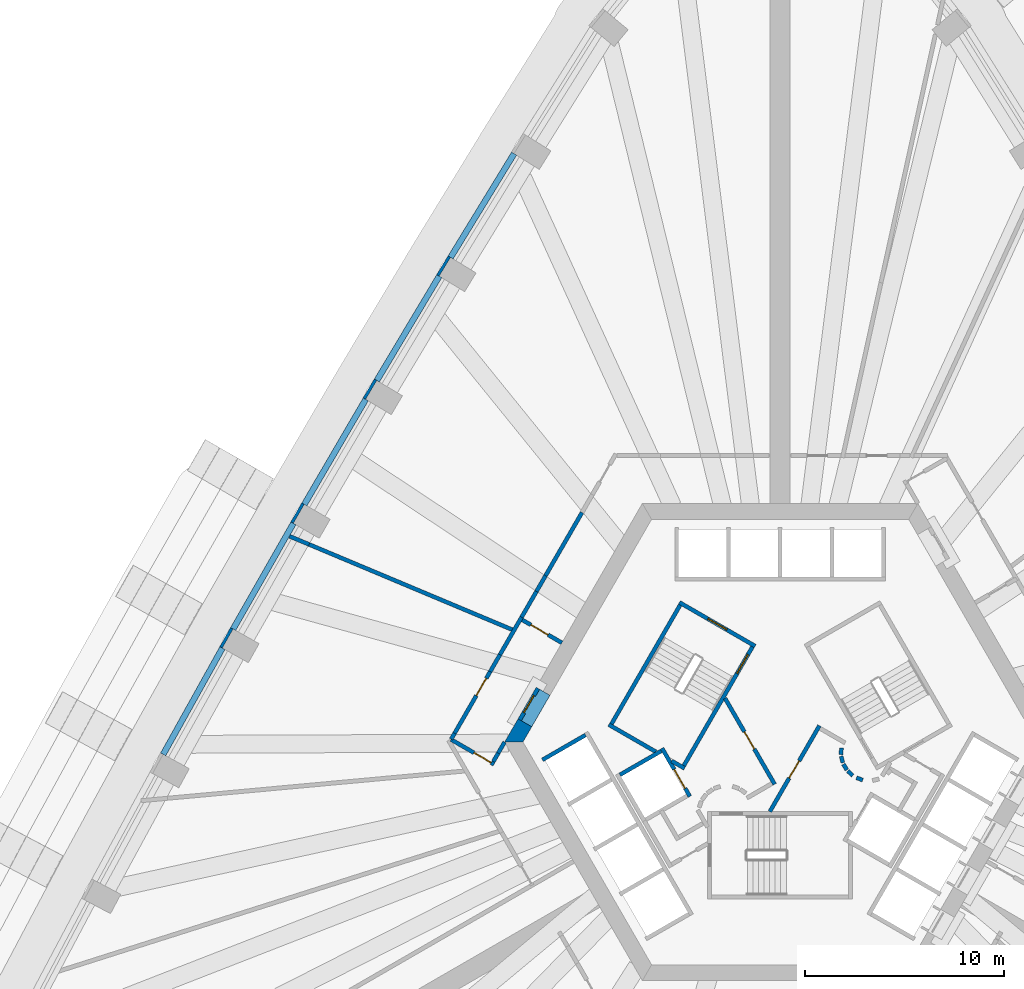
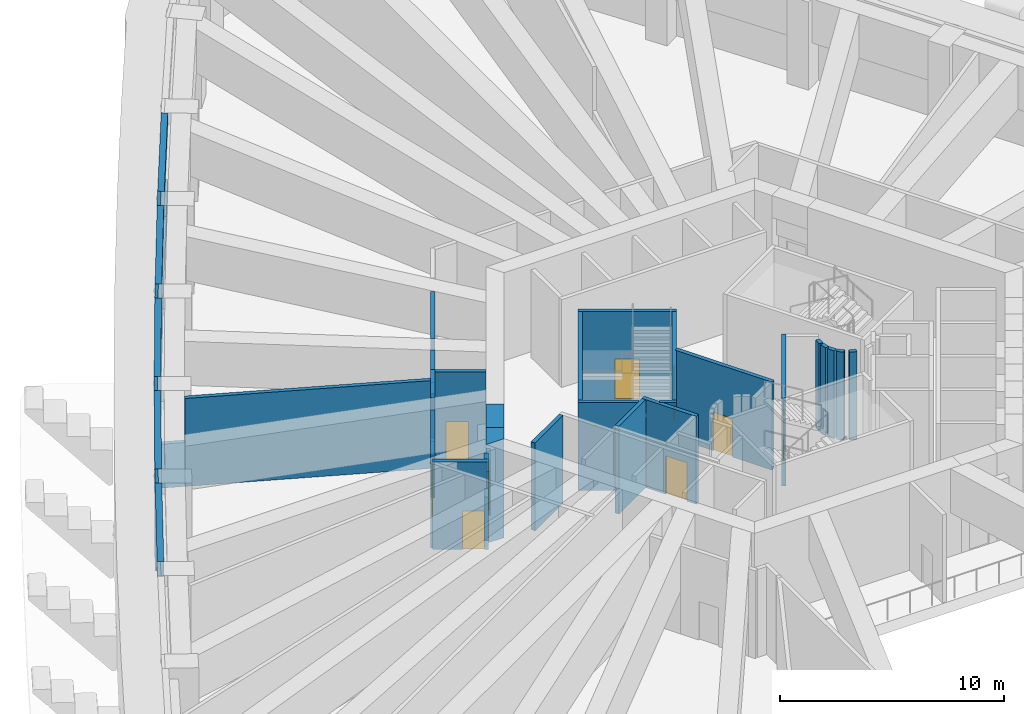
# One storey, part 11 of 22: 44 walls, 9 doors, 9 openings.
"""IFC4 building model written with IfcOpenShell, lengths in metres."""

from ifc_helpers import new_model, si_unit, direction, frame, frame_2d, origin, place, context, subcontext, project, spatial, polyline, rectangle, outline, extrude, material, layer, layer_set, type_object, element, fill, save


model = new_model("IFC4")

# Units and contexts
model_context = context("Model", 3, precision=1e-05, world=origin(), true_north=direction((0.0, 1.0)))
body_context = subcontext(model_context, "Body", "Model", "MODEL_VIEW")
ifc_project = project(units=[si_unit("LENGTHUNIT", "METRE"), si_unit("AREAUNIT", "SQUARE_METRE"), si_unit("VOLUMEUNIT", "CUBIC_METRE"), si_unit("PLANEANGLEUNIT", "RADIAN"), si_unit("MASSUNIT", "GRAM", prefix="KILO")], contexts=[model_context])

# Site, building, storey
site_placement = place(None, origin())
site = spatial("IfcSite", under=ifc_project, at=site_placement, CompositionType="ELEMENT")
building_placement = place(site_placement, origin())
building = spatial("IfcBuilding", under=site, at=building_placement, Name="Entoto Arch Interchange Tower", CompositionType="ELEMENT")
storey_placement = place(building_placement, frame((0.0, 0.0, 132.800048828125)))
storey = spatial("IfcBuildingStorey", under=building, at=storey_placement, Name="L29", CompositionType="ELEMENT", Elevation=132.800048828125)

# Wall, opening, door
ifc_material_1 = material(Name="Reinforced concrete C40/50", Category="concrete")
ifc_layer_1 = layer(ifc_material_1, 0.199951171875)
ifc_layer_set_1 = layer_set([ifc_layer_1], Name="Reinforced concrete C40/50")
wall_type_1 = type_object("IfcWallType", Name="CORE GAP INFILL WALL", PredefinedType="PARTITIONING", material=ifc_layer_set_1)
wall_1_placement = place(storey_placement, frame((-12.180908203125, 5.201904296875, 0.0), z_axis=(0.0, 0.0, 1.0), x_axis=(-0.500215337403, -0.865901042976, 0.0)))
wall_1 = element("IfcWall", 1, at=wall_1_placement, inside=storey, type_object=wall_type_1, Name="wall:L29:gap3", PredefinedType="PARTITIONING", context=body_context, shape_type="SweptSolid", body=[
    extrude(rectangle(XDim=1.829345703125, YDim=0.199951171875, at=frame_2d((0.91455078125, 0.0))), origin(), (0.0, 0.0, 1.0), 2.39990234375),
])
opening_1_placement = place(wall_1_placement, frame((0.4150390625, 0.0, 0.0)))
opening_1 = element("IfcOpeningElement", 2, at=opening_1_placement, cuts=wall_1, Name="Opening L29-D93", PredefinedType="OPENING", context=body_context, shape_type="SweptSolid", body=[
    extrude(rectangle(XDim=1.0, YDim=2.10009765625, at=frame_2d((0.5, 1.050048828125))), frame((0.0, 0.10986328125, 0.0), z_axis=(0.0, -1.0, 0.0), x_axis=(1.0, 0.0, 0.0)), (0.0, 0.0, 1.0), 0.219970703125),
])
ifc_material_2 = material(Name="Fire-rated Steel S235 door and frame", Category="steel")
door_type_1 = type_object("IfcDoorType", Name="DOOR FD-10 1000x2100", OperationType="SINGLE_SWING_LEFT", PredefinedType="DOOR", material=ifc_material_2)
door_1_placement = place(opening_1_placement, origin())
door_1 = element("IfcDoor", 3, at=door_1_placement, inside=storey, type_object=door_type_1, Name="door:L29:gap3", OperationType="SINGLE_SWING_LEFT", OverallHeight=2.10009765625, OverallWidth=1.0, PredefinedType="DOOR", context=body_context, shape_type="SweptSolid", body=[
    extrude(rectangle(XDim=1.0, YDim=2.10009765625, at=frame_2d((0.5, 1.050048828125))), frame((0.0, 0.02490234375, 0.0), z_axis=(0.0, -1.0, 0.0), x_axis=(1.0, 0.0, 0.0)), (0.0, 0.0, 1.0), 0.050048828125),
])
fill(opening_1, door_1)

# Walls
ifc_material_3 = material(Name="Concrete C60/75", Category="concrete")
ifc_layer_2 = layer(ifc_material_3, 0.800048828125)
ifc_layer_set_2 = layer_set([ifc_layer_2], Name="Concrete C60/75")
wall_type_2 = type_object("IfcWallType", Name="Core wall 800 C60/75", PredefinedType="SHEAR", material=ifc_layer_set_2)
wall_2_placement = place(storey_placement, frame((0.0, 0.0, -0.60009765625)))
element("IfcWall", 4, at=wall_2_placement, inside=storey, type_object=wall_type_2, Name="Core wall NW L29", PredefinedType="SHEAR", context=body_context, shape_type="SweptSolid", body=[
    extrude(outline(polyline([(-12.489990234375, 3.26806640625), (-13.181884765625, 3.6669921875), (-13.85595703125, 2.5), (-12.93310546875, 2.5), (-12.489990234375, 3.26806640625)])), origin(), (0.0, 0.0, 1.0), 5.400146484375),
])
wall_3_placement = place(storey_placement, frame((0.0, 0.0, 3.599853515625)))
element("IfcWall", 5, at=wall_3_placement, inside=storey, type_object=wall_type_2, Name="Core wall lintel NW L29", PredefinedType="SHEAR", context=body_context, shape_type="SweptSolid", body=[
    extrude(outline(polyline([(-13.181884765625, 3.6669921875), (-12.489990234375, 3.26806640625), (-11.574951171875, 4.85205078125), (-12.26708984375, 5.251953125), (-13.181884765625, 3.6669921875)])), origin(), (0.0, 0.0, 1.0), 1.2001953125),
])

# Wall, opening, door
ifc_material_4 = material(Name="Concrete C40/50", Category="concrete")
ifc_layer_3 = layer(ifc_material_4, 0.199951171875)
ifc_layer_set_3 = layer_set([ifc_layer_3], Name="Concrete C40/50")
wall_type_3 = type_object("IfcWallType", Name="LIFT SHAFT WALL 200", PredefinedType="STANDARD", material=ifc_layer_set_3)
wall_4_placement = place(storey_placement, frame((-5.93994140625, 2.18798828125, 0.0), z_axis=(0.0, 0.0, 1.0), x_axis=(0.49994636267, -0.866056369097, 0.0)))
wall_4 = element("IfcWall", 6, at=wall_4_placement, inside=storey, type_object=wall_type_3, Name="Shaft wall SW1 front", PredefinedType="STANDARD", context=body_context, shape_type="SweptSolid", body=[
    extrude(rectangle(XDim=2.800048828125, YDim=0.199951171875, at=frame_2d((1.39990234375, 0.0))), origin(), (0.0, 0.0, 1.0), 4.800048828125),
])
opening_2_placement = place(wall_4_placement, frame((1.22509765625, 0.0, 0.0)))
opening_2 = element("IfcOpeningElement", 7, at=opening_2_placement, cuts=wall_4, Name="Opening LD-FF2-L29", PredefinedType="OPENING", context=body_context, shape_type="SweptSolid", body=[
    extrude(rectangle(XDim=1.10009765625, YDim=2.10009765625, at=frame_2d((0.550048828125, 1.050048828125))), frame((0.0, 0.10986328125, 0.0), z_axis=(0.0, -1.0, 0.0), x_axis=(1.0, 0.0, 0.0)), (0.0, 0.0, 1.0), 0.219970703125),
])
ifc_material_5 = material(Name="Stainless steel 1.4301 panels", Category="steel")
door_type_2 = type_object("IfcDoorType", Name="LIFT LANDING DOOR LD1 1100x2100", OperationType="SLIDING_TO_LEFT", PredefinedType="DOOR", material=ifc_material_5)
door_2_placement = place(opening_2_placement, origin())
door_2 = element("IfcDoor", 8, at=door_2_placement, inside=storey, type_object=door_type_2, Name="Lift landing door FF2 L29", OperationType="SLIDING_TO_LEFT", OverallHeight=2.10009765625, OverallWidth=1.10009765625, PredefinedType="DOOR", context=body_context, shape_type="SweptSolid", body=[
    extrude(rectangle(XDim=1.10009765625, YDim=2.10009765625, at=frame_2d((0.550048828125, 1.050048828125))), frame((0.0, 0.02490234375, 0.0), z_axis=(0.0, -1.0, 0.0), x_axis=(1.0, 0.0, 0.0)), (0.0, 0.0, 1.0), 0.050048828125),
])
fill(opening_2, door_2)

# Walls
wall_5_placement = place(storey_placement, frame((-5.97705078125, 2.052001953125, 0.0), z_axis=(0.0, 0.0, 1.0), x_axis=(-0.865973769406, -0.500089422704, 0.0)))
element("IfcWall", 9, at=wall_5_placement, inside=storey, type_object=wall_type_3, Name="Shaft wall SW1 cross 1", PredefinedType="STANDARD", context=body_context, shape_type="SweptSolid", body=[
    extrude(rectangle(XDim=2.3994140625, YDim=0.199951171875, at=frame_2d((1.19970703125, 0.0))), origin(), (0.0, 0.0, 1.0), 4.800048828125),
])
wall_6_placement = place(storey_placement, frame((-9.7880859375, 2.85302734375, 0.0), z_axis=(0.0, 0.0, 1.0), x_axis=(-0.865998541277, -0.500046524342, 0.0)))
element("IfcWall", 10, at=wall_6_placement, inside=storey, type_object=wall_type_3, Name="Shaft wall SW3 cross 1", PredefinedType="STANDARD", context=body_context, shape_type="SweptSolid", body=[
    extrude(rectangle(XDim=2.499755859375, YDim=0.199951171875, at=frame_2d((1.25, 0.0))), origin(), (0.0, 0.0, 1.0), 4.800048828125),
])
ifc_material_6 = material(Name="Gypsum board partition on steel studs", Category="steel")
ifc_layer_4 = layer(ifc_material_6, 0.199951171875)
ifc_layer_set_4 = layer_set([ifc_layer_4], Name="Gypsum board partition on steel studs")
wall_type_4 = type_object("IfcWallType", Name="PARTITION 200", PredefinedType="PARTITIONING", material=ifc_layer_set_4)
wall_7_placement = place(storey_placement, frame((3.0791015625, 2.198974609375, 0.0), z_axis=(0.0, 0.0, 1.0), x_axis=(-0.047771483479, -0.998858290933, 0.0)))
element("IfcWall", 11, at=wall_7_placement, inside=storey, type_object=wall_type_4, Name="wall:L29:p012", PredefinedType="PARTITIONING", context=body_context, shape_type="SweptSolid", body=[
    extrude(rectangle(XDim=0.33740234375, YDim=0.199951171875, at=frame_2d((0.168701171875, 0.0))), origin(), (0.0, 0.0, 1.0), 4.800048828125),
])
wall_8_placement = place(storey_placement, frame((3.070068359375, 1.785888671875, 0.0), z_axis=(0.0, 0.0, 1.0), x_axis=(0.242705583207, -0.970099994784, 0.0)))
element("IfcWall", 12, at=wall_8_placement, inside=storey, type_object=wall_type_4, Name="wall:L29:p013", PredefinedType="PARTITIONING", context=body_context, shape_type="SweptSolid", body=[
    extrude(rectangle(XDim=0.337890625, YDim=0.199951171875, at=frame_2d((0.1689453125, 0.0))), origin(), (0.0, 0.0, 1.0), 4.800048828125),
])
for number, where, z_axis, x_axis, name in (
    (13, (3.181884765625, 1.387939453125, 0.0), (0.0, 0.0, 1.0), (0.512474702713, -0.85870232274, 0.0), "wall:L29:p014"),
    (14, (3.404052734375, 1.0390625, 0.0), (0.0, 0.0, 1.0), (0.740267097712, -0.672312891476, 0.0), "wall:L29:p015"),
):
    element("IfcWall", number, at=place(storey_placement, frame(where, z_axis=z_axis, x_axis=x_axis)), inside=storey, type_object=wall_type_4, Name=name, PredefinedType="PARTITIONING", context=body_context, shape_type="SweptSolid", body=[
        extrude(rectangle(XDim=0.337646484375, YDim=0.199951171875, at=frame_2d((0.1689453125, 0.0))), origin(), (0.0, 0.0, 1.0), 4.800048828125),
    ])
wall_9_placement = place(storey_placement, frame((3.837890625, 0.701904296875, 0.0), z_axis=(0.0, 0.0, 1.0), x_axis=(0.941035081519, -0.338308993895, 0.0)))
element("IfcWall", 15, at=wall_9_placement, inside=storey, type_object=wall_type_4, Name="wall:L29:p016", PredefinedType="PARTITIONING", context=body_context, shape_type="SweptSolid", body=[
    extrude(rectangle(XDim=0.3369140625, YDim=0.199951171875, at=frame_2d((0.16845703125, 0.0))), origin(), (0.0, 0.0, 1.0), 4.800048828125),
])

# Wall, opening, door
wall_10_placement = place(storey_placement, frame((-0.52001953125, -1.0, 0.0), z_axis=(0.0, 0.0, 1.0), x_axis=(0.50011622646, 0.865958290007, 0.0)))
wall_10 = element("IfcWall", 16, at=wall_10_placement, inside=storey, type_object=wall_type_4, Name="wall:L29:p018", PredefinedType="PARTITIONING", context=body_context, shape_type="SweptSolid", body=[
    extrude(rectangle(XDim=4.990966796875, YDim=0.199951171875, at=frame_2d((2.49560546875, 0.0))), origin(), (0.0, 0.0, 1.0), 4.800048828125),
])
opening_3_placement = place(wall_10_placement, frame((1.945068359375, 0.0, 0.0)))
opening_3 = element("IfcOpeningElement", 17, at=opening_3_placement, cuts=wall_10, Name="Opening L29-D20", PredefinedType="OPENING", context=body_context, shape_type="SweptSolid", body=[
    extrude(rectangle(XDim=1.0, YDim=2.10009765625, at=frame_2d((0.5, 1.050048828125))), frame((0.0, 0.10986328125, 0.0), z_axis=(0.0, -1.0, 0.0), x_axis=(1.0, 0.0, 0.0)), (0.0, 0.0, 1.0), 0.219970703125),
])
door_3_placement = place(opening_3_placement, origin())
door_3 = element("IfcDoor", 18, at=door_3_placement, inside=storey, type_object=door_type_1, Name="door:L29:20", OperationType="SINGLE_SWING_LEFT", OverallHeight=2.10009765625, OverallWidth=1.0, PredefinedType="DOOR", context=body_context, shape_type="SweptSolid", body=[
    extrude(rectangle(XDim=1.0, YDim=2.10009765625, at=frame_2d((0.5, 1.050048828125))), frame((0.0, 0.02490234375, 0.0), z_axis=(0.0, -1.0, 0.0), x_axis=(1.0, 0.0, 0.0)), (0.0, 0.0, 1.0), 0.050048828125),
])
fill(opening_3, door_3)

wall_11_placement = place(storey_placement, frame((-2.77099609375, 4.699951171875, 0.0), z_axis=(0.0, 0.0, 1.0), x_axis=(0.499969479948, -0.866043023828, 0.0)))
wall_11 = element("IfcWall", 19, at=wall_11_placement, inside=storey, type_object=wall_type_4, Name="wall:L29:p027", PredefinedType="PARTITIONING", context=body_context, shape_type="SweptSolid", body=[
    extrude(rectangle(XDim=4.990478515625, YDim=0.199951171875, at=frame_2d((2.4951171875, 0.0))), origin(), (0.0, 0.0, 1.0), 4.800048828125),
])
opening_4_placement = place(wall_11_placement, frame((1.945068359375, 0.0, 0.0)))
opening_4 = element("IfcOpeningElement", 20, at=opening_4_placement, cuts=wall_11, Name="Opening L29-D21", PredefinedType="OPENING", context=body_context, shape_type="SweptSolid", body=[
    extrude(rectangle(XDim=1.0, YDim=2.10009765625, at=frame_2d((0.5, 1.050048828125))), frame((0.0, 0.10986328125, 0.0), z_axis=(0.0, -1.0, 0.0), x_axis=(1.0, 0.0, 0.0)), (0.0, 0.0, 1.0), 0.219970703125),
])
door_4_placement = place(opening_4_placement, origin())
door_4 = element("IfcDoor", 21, at=door_4_placement, inside=storey, type_object=door_type_1, Name="door:L29:21", OperationType="SINGLE_SWING_RIGHT", OverallHeight=2.10009765625, OverallWidth=1.0, PredefinedType="DOOR", context=body_context, shape_type="SweptSolid", body=[
    extrude(rectangle(XDim=1.0, YDim=2.10009765625, at=frame_2d((0.5, 1.050048828125))), frame((0.0, 0.02490234375, 0.0), z_axis=(0.0, -1.0, 0.0), x_axis=(1.0, 0.0, 0.0)), (0.0, 0.0, 1.0), 0.050048828125),
])
fill(opening_4, door_4)

wall_12_placement = place(storey_placement, frame((-13.052978515625, 8.69091796875, 0.0), z_axis=(0.0, 0.0, 1.0), x_axis=(0.865973769406, -0.500089422704, 0.0)))
wall_12 = element("IfcWall", 22, at=wall_12_placement, inside=storey, type_object=wall_type_4, Name="wall:L29:p062", PredefinedType="PARTITIONING", context=body_context, shape_type="SweptSolid", body=[
    extrude(rectangle(XDim=2.3994140625, YDim=0.199951171875, at=frame_2d((1.19970703125, 0.0))), origin(), (0.0, 0.0, 1.0), 4.800048828125),
])
opening_5_placement = place(wall_12_placement, frame((0.60009765625, 0.0, 0.0)))
opening_5 = element("IfcOpeningElement", 23, at=opening_5_placement, cuts=wall_12, Name="Opening L29-D12", PredefinedType="OPENING", context=body_context, shape_type="SweptSolid", body=[
    extrude(rectangle(XDim=1.0, YDim=2.10009765625, at=frame_2d((0.5, 1.050048828125))), frame((0.0, 0.10986328125, 0.0), z_axis=(0.0, -1.0, 0.0), x_axis=(1.0, 0.0, 0.0)), (0.0, 0.0, 1.0), 0.219970703125),
])
door_5_placement = place(opening_5_placement, origin())
door_5 = element("IfcDoor", 24, at=door_5_placement, inside=storey, type_object=door_type_1, Name="door:L29:12", OperationType="SINGLE_SWING_RIGHT", OverallHeight=2.10009765625, OverallWidth=1.0, PredefinedType="DOOR", context=body_context, shape_type="SweptSolid", body=[
    extrude(rectangle(XDim=1.0, YDim=2.10009765625, at=frame_2d((0.5, 1.050048828125))), frame((0.0, 0.02490234375, 0.0), z_axis=(0.0, -1.0, 0.0), x_axis=(1.0, 0.0, 0.0)), (0.0, 0.0, 1.0), 0.050048828125),
])
fill(opening_5, door_5)

# Wall
wall_13_placement = place(storey_placement, frame((-13.85595703125, 2.5009765625, 0.0), z_axis=(0.0, 0.0, 1.0), x_axis=(-0.500766044352, -0.865582675903, 0.0)))
element("IfcWall", 25, at=wall_13_placement, inside=storey, type_object=wall_type_4, Name="wall:L29:p063", PredefinedType="PARTITIONING", context=body_context, shape_type="SweptSolid", body=[
    extrude(rectangle(XDim=0.64111328125, YDim=0.199951171875, at=frame_2d((0.320556640625, 0.0))), origin(), (0.0, 0.0, 1.0), 2.39990234375),
])

# Wall, opening, door
wall_14_placement = place(storey_placement, frame((-14.387939453125, 1.37890625, 0.0), z_axis=(0.0, 0.0, 1.0), x_axis=(-0.866022959057, 0.500004234368, 0.0)))
wall_14 = element("IfcWall", 26, at=wall_14_placement, inside=storey, type_object=wall_type_4, Name="wall:L29:p064", PredefinedType="PARTITIONING", context=body_context, shape_type="SweptSolid", body=[
    extrude(rectangle(XDim=2.5, YDim=0.199951171875, at=frame_2d((1.25, 0.0))), origin(), (0.0, 0.0, 1.0), 4.800048828125),
])
opening_6_placement = place(wall_14_placement, frame((0.16796875, 0.0, 0.0)))
opening_6 = element("IfcOpeningElement", 27, at=opening_6_placement, cuts=wall_14, Name="Opening L29-D13", PredefinedType="OPENING", context=body_context, shape_type="SweptSolid", body=[
    extrude(rectangle(XDim=1.0, YDim=2.10009765625, at=frame_2d((0.5, 1.050048828125))), frame((0.0, 0.10986328125, 0.0), z_axis=(0.0, -1.0, 0.0), x_axis=(1.0, 0.0, 0.0)), (0.0, 0.0, 1.0), 0.219970703125),
])
door_6_placement = place(opening_6_placement, origin())
door_6 = element("IfcDoor", 28, at=door_6_placement, inside=storey, type_object=door_type_1, Name="door:L29:13", OperationType="SINGLE_SWING_LEFT", OverallHeight=2.10009765625, OverallWidth=1.0, PredefinedType="DOOR", context=body_context, shape_type="SweptSolid", body=[
    extrude(rectangle(XDim=1.0, YDim=2.10009765625, at=frame_2d((0.5, 1.050048828125))), frame((0.0, 0.02490234375, 0.0), z_axis=(0.0, -1.0, 0.0), x_axis=(1.0, 0.0, 0.0)), (0.0, 0.0, 1.0), 0.050048828125),
])
fill(opening_6, door_6)

# Walls
wall_15_placement = place(storey_placement, frame((-16.54296875, 2.64599609375, 0.0), z_axis=(0.0, 0.0, 1.0), x_axis=(0.500808028896, 0.865558385202, 0.0)))
element("IfcWall", 29, at=wall_15_placement, inside=storey, type_object=wall_type_4, Name="wall:L29:p065", PredefinedType="PARTITIONING", context=body_context, shape_type="SweptSolid", body=[
    extrude(rectangle(XDim=0.33740234375, YDim=0.199951171875, at=frame_2d((0.168701171875, 0.0))), origin(), (0.0, 0.0, 1.0), 2.39990234375),
])
wall_16_placement = place(storey_placement, frame((-13.0029296875, 8.778076171875, 0.0), z_axis=(0.0, 0.0, 1.0), x_axis=(0.499929606556, 0.866066041644, 0.0)))
element("IfcWall", 30, at=wall_16_placement, inside=storey, type_object=wall_type_4, Name="wall:L29:p066", PredefinedType="PARTITIONING", context=body_context, shape_type="SweptSolid", body=[
    extrude(rectangle(XDim=1.496337890625, YDim=0.199951171875, at=frame_2d((0.748046875, 0.0))), origin(), (0.0, 0.0, 1.0), 4.800048828125),
])
wall_17_placement = place(storey_placement, frame((-24.673095703125, 12.85009765625, 0.0), z_axis=(0.0, 0.0, 1.0), x_axis=(0.922202269671, -0.386707866241, 0.0)))
element("IfcWall", 31, at=wall_17_placement, inside=storey, type_object=wall_type_4, Name="wall:L29:p070", PredefinedType="PARTITIONING", context=body_context, shape_type="SweptSolid", body=[
    extrude(rectangle(XDim=1.068115234375, YDim=0.199951171875, at=frame_2d((0.5341796875, 0.0))), origin(), (0.0, 0.0, 1.0), 2.39990234375),
])
wall_18_placement = place(storey_placement, frame((-14.177001953125, 1.946044921875, 0.0), z_axis=(0.0, 0.0, 1.0), x_axis=(-0.499736647136, -0.866177397251, 0.0)))
element("IfcWall", 32, at=wall_18_placement, inside=storey, type_object=wall_type_4, Name="wall:L29:p063", PredefinedType="PARTITIONING", context=body_context, shape_type="SweptSolid", body=[
    extrude(rectangle(XDim=0.496337890625, YDim=0.199951171875, at=frame_2d((0.248046875, 0.0))), origin(), (0.0, 0.0, 1.0), 4.800048828125),
])

# Wall, opening, door
wall_19_placement = place(storey_placement, frame((-16.3740234375, 2.93798828125, 0.0), z_axis=(0.0, 0.0, 1.0), x_axis=(0.49986000933, 0.866106212351, 0.0)))
wall_19 = element("IfcWall", 33, at=wall_19_placement, inside=storey, type_object=wall_type_4, Name="wall:L29:p065", PredefinedType="PARTITIONING", context=body_context, shape_type="SweptSolid", body=[
    extrude(rectangle(XDim=3.5849609375, YDim=0.199951171875, at=frame_2d((1.79248046875, 0.0))), origin(), (0.0, 0.0, 1.0), 4.800048828125),
])
opening_7_placement = place(wall_19_placement, frame((2.197021484375, 0.0, 0.0)))
opening_7 = element("IfcOpeningElement", 34, at=opening_7_placement, cuts=wall_19, Name="Opening L29-D14", PredefinedType="OPENING", context=body_context, shape_type="SweptSolid", body=[
    extrude(rectangle(XDim=1.0, YDim=2.10009765625, at=frame_2d((0.5, 1.050048828125))), frame((0.0, 0.10986328125, 0.0), z_axis=(0.0, -1.0, 0.0), x_axis=(1.0, 0.0, 0.0)), (0.0, 0.0, 1.0), 0.219970703125),
])
door_7_placement = place(opening_7_placement, origin())
door_7 = element("IfcDoor", 35, at=door_7_placement, inside=storey, type_object=door_type_1, Name="door:L29:14", OperationType="SINGLE_SWING_RIGHT", OverallHeight=2.10009765625, OverallWidth=1.0, PredefinedType="DOOR", context=body_context, shape_type="SweptSolid", body=[
    extrude(rectangle(XDim=1.0, YDim=2.10009765625, at=frame_2d((0.5, 1.050048828125))), frame((0.0, 0.02490234375, 0.0), z_axis=(0.0, -1.0, 0.0), x_axis=(1.0, 0.0, 0.0)), (0.0, 0.0, 1.0), 0.050048828125),
])
fill(opening_7, door_7)

# Walls
wall_20_placement = place(storey_placement, frame((-14.58203125, 6.04296875, 0.0), z_axis=(0.0, 0.0, 1.0), x_axis=(0.499693771811, 0.866202132538, 0.0)))
element("IfcWall", 36, at=wall_20_placement, inside=storey, type_object=wall_type_4, Name="wall:L29:p065", PredefinedType="PARTITIONING", context=body_context, shape_type="SweptSolid", body=[
    extrude(rectangle(XDim=0.982421875, YDim=0.199951171875, at=frame_2d((0.4912109375, 0.0))), origin(), (0.0, 0.0, 1.0), 2.39990234375),
])
wall_21_placement = place(storey_placement, frame((-14.091064453125, 6.89404296875, 0.0), z_axis=(0.0, 0.0, 1.0), x_axis=(0.500133637508, 0.865948234384, 0.0)))
element("IfcWall", 37, at=wall_21_placement, inside=storey, type_object=wall_type_4, Name="wall:L29:p065", PredefinedType="PARTITIONING", context=body_context, shape_type="SweptSolid", body=[
    extrude(rectangle(XDim=2.17578125, YDim=0.199951171875, at=frame_2d((1.087890625, 0.0))), origin(), (0.0, 0.0, 1.0), 4.800048828125),
])
wall_22_placement = place(storey_placement, frame((-12.2548828125, 10.073974609375, 0.0), z_axis=(0.0, 0.0, 1.0), x_axis=(0.499614570368, 0.866247817357, 0.0)))
element("IfcWall", 38, at=wall_22_placement, inside=storey, type_object=wall_type_4, Name="wall:L29:p066", PredefinedType="PARTITIONING", context=body_context, shape_type="SweptSolid", body=[
    extrude(rectangle(XDim=0.914306640625, YDim=0.199951171875, at=frame_2d((0.45703125, 0.0))), origin(), (0.0, 0.0, 1.0), 2.39990234375),
])
wall_23_placement = place(storey_placement, frame((-11.798095703125, 10.865966796875, 0.0), z_axis=(0.0, 0.0, 1.0), x_axis=(0.49997801172, 0.866038098351, 0.0)))
element("IfcWall", 39, at=wall_23_placement, inside=storey, type_object=wall_type_4, Name="wall:L29:p066", PredefinedType="PARTITIONING", context=body_context, shape_type="SweptSolid", body=[
    extrude(rectangle(XDim=3.666259765625, YDim=0.199951171875, at=frame_2d((1.8330078125, 0.0))), origin(), (0.0, 0.0, 1.0), 4.800048828125),
])
wall_24_placement = place(storey_placement, frame((-23.68798828125, 12.43701171875, 0.0), z_axis=(0.0, 0.0, 1.0), x_axis=(0.922136044786, -0.386865758249, 0.0)))
element("IfcWall", 40, at=wall_24_placement, inside=storey, type_object=wall_type_4, Name="wall:L29:p070", PredefinedType="PARTITIONING", context=body_context, shape_type="SweptSolid", body=[
    extrude(rectangle(XDim=11.171875, YDim=0.199951171875, at=frame_2d((5.5859375, 0.0))), origin(), (0.0, 0.0, 1.0), 4.800048828125),
])
ifc_material_7 = material(Name="Board-marked precast concrete C50/60", Category="concrete")
ifc_layer_5 = layer(ifc_material_7, 0.14990234375)
ifc_layer_set_5 = layer_set([ifc_layer_5], Name="Board-marked precast concrete C50/60")
wall_type_5 = type_object("IfcWallType", Name="PRECAST FRAME WALL 150", PredefinedType="STANDARD", material=ifc_layer_set_5)
wall_25_placement = place(storey_placement, frame((-16.638916015625, 26.910888671875, 0.0), z_axis=(0.0, 0.0, 1.0), x_axis=(-0.519869515594, -0.854245682901, 0.0)))
element("IfcWall", 41, at=wall_25_placement, inside=storey, type_object=wall_type_5, Name="Frame pier NW03 L29", PredefinedType="STANDARD", context=body_context, shape_type="SweptSolid", body=[
    extrude(rectangle(XDim=1.100341796875, YDim=0.14990234375, at=frame_2d((0.55029296875, 0.0))), origin(), (0.0, 0.0, 1.0), 4.800048828125),
])
wall_26_placement = place(storey_placement, frame((-20.34912109375, 20.718994140625, 0.0), z_axis=(0.0, 0.0, 1.0), x_axis=(-0.509918002375, -0.860223012279, 0.0)))
element("IfcWall", 42, at=wall_26_placement, inside=storey, type_object=wall_type_5, Name="Frame pier NW04 L29", PredefinedType="STANDARD", context=body_context, shape_type="SweptSolid", body=[
    extrude(rectangle(XDim=1.099853515625, YDim=0.14990234375, at=frame_2d((0.5498046875, 0.0))), origin(), (0.0, 0.0, 1.0), 4.800048828125),
])
wall_27_placement = place(storey_placement, frame((-23.9951171875, 14.489013671875, 0.0), z_axis=(0.0, 0.0, 1.0), x_axis=(-0.499671230855, -0.86621513555, 0.0)))
element("IfcWall", 43, at=wall_27_placement, inside=storey, type_object=wall_type_5, Name="Frame pier NW05 L29", PredefinedType="STANDARD", context=body_context, shape_type="SweptSolid", body=[
    extrude(rectangle(XDim=1.100341796875, YDim=0.14990234375, at=frame_2d((0.55029296875, 0.0))), origin(), (0.0, 0.0, 1.0), 4.800048828125),
])
wall_28_placement = place(storey_placement, frame((-27.577880859375, 8.221923828125, 0.0), z_axis=(0.0, 0.0, 1.0), x_axis=(-0.490008344094, -0.871717742574, 0.0)))
element("IfcWall", 44, at=wall_28_placement, inside=storey, type_object=wall_type_5, Name="Frame pier NW06 L29", PredefinedType="STANDARD", context=body_context, shape_type="SweptSolid", body=[
    extrude(rectangle(XDim=1.10009765625, YDim=0.14990234375, at=frame_2d((0.550048828125, 0.0))), origin(), (0.0, 0.0, 1.0), 4.800048828125),
])
ifc_layer_6 = layer(ifc_material_7, 0.300048828125)
ifc_layer_set_6 = layer_set([ifc_layer_6], Name="Board-marked precast concrete C50/60")
wall_type_6 = type_object("IfcWallType", Name="PRECAST FRAME WALL 300", PredefinedType="STANDARD", material=ifc_layer_set_6)
wall_29_placement = place(storey_placement, frame((-13.37890625, 32.091064453125, 0.0), z_axis=(0.0, 0.0, 1.0), x_axis=(-0.521983927326, -0.852955320995, 0.0)))
element("IfcWall", 45, at=wall_29_placement, inside=storey, type_object=wall_type_6, Name="Frame sill wall NW-02 L29", PredefinedType="STANDARD", context=body_context, shape_type="SweptSolid", body=[
    extrude(rectangle(XDim=6.12109375, YDim=0.300048828125, at=frame_2d((3.060546875, 0.0))), origin(), (0.0, 0.0, 1.0), 1.199951171875),
])
wall_30_placement = place(storey_placement, frame((-13.37890625, 32.091064453125, 4.0), z_axis=(0.0, 0.0, 1.0), x_axis=(-0.521983927326, -0.852955320995, 0.0)))
element("IfcWall", 46, at=wall_30_placement, inside=storey, type_object=wall_type_6, Name="Frame head wall NW-02 L29", PredefinedType="STANDARD", context=body_context, shape_type="SweptSolid", body=[
    extrude(rectangle(XDim=6.12109375, YDim=0.300048828125, at=frame_2d((3.060546875, 0.0))), origin(), (0.0, 0.0, 1.0), 0.800048828125),
])
wall_31_placement = place(storey_placement, frame((-17.14306640625, 25.930908203125, 0.0), z_axis=(0.0, 0.0, 1.0), x_axis=(-0.513139723686, -0.858305087935, 0.0)))
element("IfcWall", 47, at=wall_31_placement, inside=storey, type_object=wall_type_6, Name="Frame sill wall NW-03 L29", PredefinedType="STANDARD", context=body_context, shape_type="SweptSolid", body=[
    extrude(rectangle(XDim=6.118896484375, YDim=0.300048828125, at=frame_2d((3.0595703125, 0.0))), origin(), (0.0, 0.0, 1.0), 1.199951171875),
])
wall_32_placement = place(storey_placement, frame((-17.14306640625, 25.930908203125, 4.0), z_axis=(0.0, 0.0, 1.0), x_axis=(-0.513139723686, -0.858305087935, 0.0)))
element("IfcWall", 48, at=wall_32_placement, inside=storey, type_object=wall_type_6, Name="Frame head wall NW-03 L29", PredefinedType="STANDARD", context=body_context, shape_type="SweptSolid", body=[
    extrude(rectangle(XDim=6.118896484375, YDim=0.300048828125, at=frame_2d((3.0595703125, 0.0))), origin(), (0.0, 0.0, 1.0), 0.800048828125),
])
wall_33_placement = place(storey_placement, frame((-20.842041015625, 19.73291015625, 0.0), z_axis=(0.0, 0.0, 1.0), x_axis=(-0.504315008855, -0.863519757645, 0.0)))
element("IfcWall", 49, at=wall_33_placement, inside=storey, type_object=wall_type_6, Name="Frame sill wall NW-04 L29", PredefinedType="STANDARD", context=body_context, shape_type="SweptSolid", body=[
    extrude(rectangle(XDim=6.119140625, YDim=0.300048828125, at=frame_2d((3.0595703125, 0.0))), origin(), (0.0, 0.0, 1.0), 1.199951171875),
])
wall_34_placement = place(storey_placement, frame((-20.842041015625, 19.73291015625, 4.0), z_axis=(0.0, 0.0, 1.0), x_axis=(-0.504315008855, -0.863519757645, 0.0)))
element("IfcWall", 50, at=wall_34_placement, inside=storey, type_object=wall_type_6, Name="Frame head wall NW-04 L29", PredefinedType="STANDARD", context=body_context, shape_type="SweptSolid", body=[
    extrude(rectangle(XDim=6.119140625, YDim=0.300048828125, at=frame_2d((3.0595703125, 0.0))), origin(), (0.0, 0.0, 1.0), 0.800048828125),
])
wall_35_placement = place(storey_placement, frame((-24.47705078125, 13.498046875, 0.0), z_axis=(0.0, 0.0, 1.0), x_axis=(-0.495541712582, -0.86858414163, 0.0)))
element("IfcWall", 51, at=wall_35_placement, inside=storey, type_object=wall_type_6, Name="Frame sill wall NW-05 L29", PredefinedType="STANDARD", context=body_context, shape_type="SweptSolid", body=[
    extrude(rectangle(XDim=6.12060546875, YDim=0.300048828125, at=frame_2d((3.060302734375, 0.0))), origin(), (0.0, 0.0, 1.0), 1.199951171875),
])
wall_36_placement = place(storey_placement, frame((-24.47705078125, 13.498046875, 4.0), z_axis=(0.0, 0.0, 1.0), x_axis=(-0.495541712582, -0.86858414163, 0.0)))
element("IfcWall", 52, at=wall_36_placement, inside=storey, type_object=wall_type_6, Name="Frame head wall NW-05 L29", PredefinedType="STANDARD", context=body_context, shape_type="SweptSolid", body=[
    extrude(rectangle(XDim=6.12060546875, YDim=0.300048828125, at=frame_2d((3.060302734375, 0.0))), origin(), (0.0, 0.0, 1.0), 0.800048828125),
])
wall_37_placement = place(storey_placement, frame((-28.049072265625, 7.22607421875, 4.0), z_axis=(0.0, 0.0, 1.0), x_axis=(-0.486753473685, -0.873539384261, 0.0)))
element("IfcWall", 53, at=wall_37_placement, inside=storey, type_object=wall_type_6, Name="Frame head wall NW-06 L29", PredefinedType="STANDARD", context=body_context, shape_type="SweptSolid", body=[
    extrude(rectangle(XDim=6.1201171875, YDim=0.300048828125, at=frame_2d((3.06005859375, 0.0))), origin(), (0.0, 0.0, 1.0), 0.800048828125),
])

# Wall, opening, door
ifc_layer_7 = layer(ifc_material_4, 0.199951171875)
ifc_layer_set_7 = layer_set([ifc_layer_7], Name="Concrete C40/50")
wall_type_7 = type_object("IfcWallType", Name="STAIR ENCLOSURE WALL 200", PredefinedType="STANDARD", material=ifc_layer_set_7)
wall_38_placement = place(storey_placement, frame((-1.256103515625, 7.323974609375, 0.0), z_axis=(0.0, 0.0, 1.0), x_axis=(-0.866046073146, 0.499964197906, 0.0)))
wall_38 = element("IfcWall", 54, at=wall_38_placement, inside=storey, type_object=wall_type_7, Name="Stair wall ST-NW near", PredefinedType="STANDARD", context=body_context, shape_type="SweptSolid", body=[
    extrude(rectangle(XDim=4.400146484375, YDim=0.199951171875, at=frame_2d((2.2001953125, 0.0))), origin(), (0.0, 0.0, 1.0), 4.800048828125),
])
opening_8_placement = place(wall_38_placement, frame((1.64990234375, 0.0, 0.0)))
opening_8 = element("IfcOpeningElement", 55, at=opening_8_placement, cuts=wall_38, Name="Opening SD-ST-NW-L29-E", PredefinedType="OPENING", context=body_context, shape_type="SweptSolid", body=[
    extrude(rectangle(XDim=1.10009765625, YDim=2.199951171875, at=frame_2d((0.550048828125, 1.10009765625))), frame((0.0, 0.10986328125, 0.0), z_axis=(0.0, -1.0, 0.0), x_axis=(1.0, 0.0, 0.0)), (0.0, 0.0, 1.0), 0.219970703125),
])
ifc_material_8 = material(Name="Steel S235", Category="steel")
door_type_3 = type_object("IfcDoorType", Name="STAIR DOOR SD1 1100x2200", OperationType="SINGLE_SWING_LEFT", PredefinedType="DOOR", material=ifc_material_8)
door_8_placement = place(opening_8_placement, origin())
door_8 = element("IfcDoor", 56, at=door_8_placement, inside=storey, type_object=door_type_3, Name="Stair door ST-NW L29 end", OperationType="SINGLE_SWING_LEFT", OverallHeight=2.199951171875, OverallWidth=1.10009765625, PredefinedType="DOOR", context=body_context, shape_type="SweptSolid", body=[
    extrude(rectangle(XDim=1.10009765625, YDim=2.199951171875, at=frame_2d((0.550048828125, 1.10009765625))), frame((0.0, 0.02490234375, 0.0), z_axis=(0.0, -1.0, 0.0), x_axis=(1.0, 0.0, 0.0)), (0.0, 0.0, 1.0), 0.050048828125),
])
fill(opening_8, door_8)

# Walls
wall_39_placement = place(storey_placement, frame((-6.25, 2.010009765625, 0.0), z_axis=(0.0, 0.0, 1.0), x_axis=(-0.86611865017, 0.499838457731, 0.0)))
element("IfcWall", 57, at=wall_39_placement, inside=storey, type_object=wall_type_7, Name="Stair wall ST-NW far", PredefinedType="STANDARD", context=body_context, shape_type="SweptSolid", body=[
    extrude(rectangle(XDim=2.73291015625, YDim=0.199951171875, at=frame_2d((1.366455078125, 0.0))), origin(), (0.0, 0.0, 1.0), 4.800048828125),
])
wall_40_placement = place(storey_placement, frame((-4.805908203125, 1.176025390625, 0.0), z_axis=(0.0, 0.0, 1.0), x_axis=(-0.866558586415, 0.499075361355, 0.0)))
element("IfcWall", 58, at=wall_40_placement, inside=storey, type_object=wall_type_7, Name="Stair wall ST-NW far return", PredefinedType="STANDARD", context=body_context, shape_type="SweptSolid", body=[
    extrude(rectangle(XDim=0.75146484375, YDim=0.199951171875, at=frame_2d((0.375732421875, 0.0))), origin(), (0.0, 0.0, 1.0), 4.800048828125),
])

# Wall, opening, door
wall_41_placement = place(storey_placement, frame((-1.39306640625, 7.2880859375, 0.0), z_axis=(0.0, 0.0, 1.0), x_axis=(-0.499963383562, -0.866046543262, 0.0)))
wall_41 = element("IfcWall", 59, at=wall_41_placement, inside=storey, type_object=wall_type_7, Name="Stair wall ST-NW hall", PredefinedType="STANDARD", context=body_context, shape_type="SweptSolid", body=[
    extrude(rectangle(XDim=6.900390625, YDim=0.199951171875, at=frame_2d((3.4501953125, 0.0))), origin(), (0.0, 0.0, 1.0), 4.800048828125),
])
opening_9_placement = place(wall_41_placement, frame((0.449951171875, 0.0, 0.0)))
opening_9 = element("IfcOpeningElement", 60, at=opening_9_placement, cuts=wall_41, Name="Opening SD-ST-NW-L29", PredefinedType="OPENING", context=body_context, shape_type="SweptSolid", body=[
    extrude(rectangle(XDim=1.10009765625, YDim=2.199951171875, at=frame_2d((0.550048828125, 1.10009765625))), frame((0.0, 0.10986328125, 0.0), z_axis=(0.0, -1.0, 0.0), x_axis=(1.0, 0.0, 0.0)), (0.0, 0.0, 1.0), 0.219970703125),
])
door_9_placement = place(opening_9_placement, origin())
door_9 = element("IfcDoor", 61, at=door_9_placement, inside=storey, type_object=door_type_3, Name="Stair door ST-NW L29", OperationType="SINGLE_SWING_LEFT", OverallHeight=2.199951171875, OverallWidth=1.10009765625, PredefinedType="DOOR", context=body_context, shape_type="SweptSolid", body=[
    extrude(rectangle(XDim=1.10009765625, YDim=2.199951171875, at=frame_2d((0.550048828125, 1.10009765625))), frame((0.0, 0.02490234375, 0.0), z_axis=(0.0, -1.0, 0.0), x_axis=(1.0, 0.0, 0.0)), (0.0, 0.0, 1.0), 0.050048828125),
])
fill(opening_9, door_9)

# Wall
wall_42_placement = place(storey_placement, frame((-5.030029296875, 9.387939453125, 0.0), z_axis=(0.0, 0.0, 1.0), x_axis=(-0.499978703459, -0.866037698999, 0.0)))
element("IfcWall", 62, at=wall_42_placement, inside=storey, type_object=wall_type_7, Name="Stair wall ST-NW back", PredefinedType="STANDARD", context=body_context, shape_type="SweptSolid", body=[
    extrude(rectangle(XDim=6.900146484375, YDim=0.199951171875, at=frame_2d((3.4501953125, 0.0))), origin(), (0.0, 0.0, 1.0), 4.800048828125),
])

save(model, "model.ifc")
